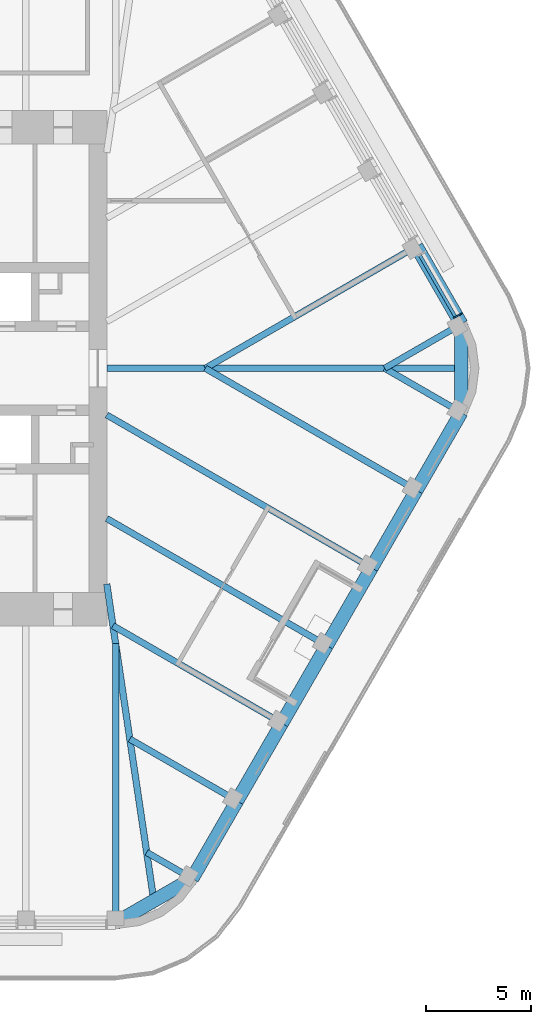
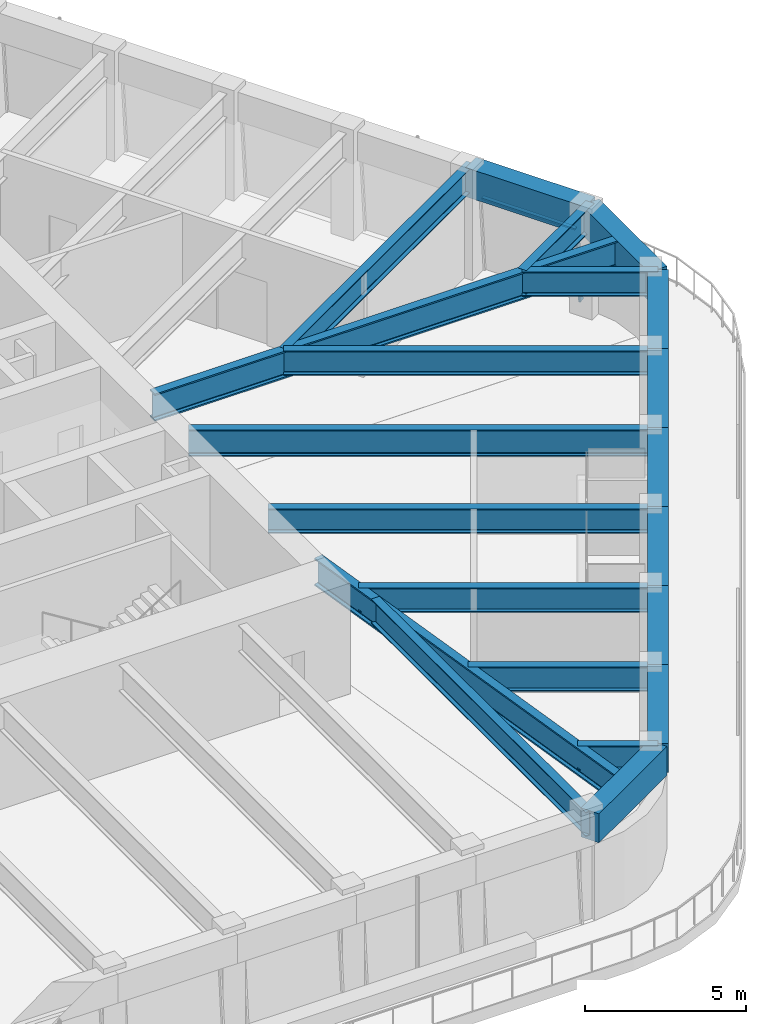
# One storey, part 5 of 19: 21 beams, 2 members, 1 element without a shape of its own.
"""IFC4 building model written with IfcOpenShell, lengths in metres."""

from ifc_helpers import new_model, si_unit, direction, frame, origin, origin_2d, place, context, subcontext, project, spatial, rectangle, i_section, extrude, material, material_profile, profile_set, type_object, element, aggregate, save


model = new_model("IFC4")

# Units and contexts
model_context = context("Model", 3, precision=1e-05, world=origin(), true_north=direction((0.0, 1.0)))
body_context = subcontext(model_context, "Body", "Model", "MODEL_VIEW")
ifc_project = project(units=[si_unit("LENGTHUNIT", "METRE"), si_unit("AREAUNIT", "SQUARE_METRE"), si_unit("VOLUMEUNIT", "CUBIC_METRE"), si_unit("PLANEANGLEUNIT", "RADIAN"), si_unit("MASSUNIT", "GRAM", prefix="KILO")], contexts=[model_context])

# Site, building, storey
site_placement = place(None, origin())
site = spatial("IfcSite", under=ifc_project, at=site_placement, CompositionType="ELEMENT")
building_placement = place(site_placement, origin())
building = spatial("IfcBuilding", under=site, at=building_placement, Name="Tarfa Lantern Tower", CompositionType="ELEMENT")
storey_placement = place(building_placement, frame((0.0, 0.0, 387.10009765625)))
storey = spatial("IfcBuildingStorey", under=building, at=storey_placement, Name="L88", CompositionType="ELEMENT", Elevation=387.10009765625)

# Curtain wall, members
ifc_material_1 = material(Name="Aluminium framed curtain wall", Category="aluminium")
curtain_wall_type = type_object("IfcCurtainWallType", Name="CW4 CANTED GLAZING EXECUTIVE ZONE 2900", PredefinedType="USERDEFINED", material=ifc_material_1)
curtain_wall_placement = place(storey_placement, origin())
curtain_wall = element("IfcCurtainWall", 1, at=curtain_wall_placement, inside=storey, type_object=curtain_wall_type, Name="CW4 NE L88", ObjectType="CURTAIN WALL", PredefinedType="USERDEFINED")
ifc_material_2 = material(Name="Aluminium mullion", Category="aluminium")
ifc_material_profile_1 = material_profile(ifc_material_2, rectangle(XDim=0.06494140625, YDim=0.199951171875, at=origin_2d()), Name="AL MULLION 65x200")
ifc_profile_set_1 = profile_set([ifc_material_profile_1], Name="Aluminium mullion")
member_type_1 = type_object("IfcMemberType", Name="CWM1 MULLION 65x200", PredefinedType="MULLION", material=ifc_profile_set_1)
member_1_placement = place(storey_placement, frame((29.286376953125, 2.574462890625, 0.0), z_axis=(-0.074399820079, -0.042945555672, 0.996303340364), x_axis=(0.499919672301, -0.866071776036, 0.0)))
member_1 = element("IfcMember", 2, at=member_1_placement, type_object=member_type_1, Name="CW4 mullion 1", PredefinedType="MULLION", context=body_context, shape_type="SweptSolid", body=[
    extrude(rectangle(XDim=0.06494140625, YDim=0.199951171875, at=origin_2d()), origin(), (0.0, 0.0, 1.0), 2.91064453125),
])
ifc_material_3 = material(Name="Aluminium transom", Category="aluminium")
ifc_material_profile_2 = material_profile(ifc_material_3, rectangle(XDim=0.14990234375, YDim=0.06494140625, at=origin_2d()), Name="AL TRANSOM 150x65")
ifc_profile_set_2 = profile_set([ifc_material_profile_2], Name="Aluminium transom")
member_type_2 = type_object("IfcMemberType", Name="CWT1 TRANSOM 150x65", PredefinedType="USERDEFINED", material=ifc_profile_set_2)
member_2_placement = place(storey_placement, frame((29.055908203125, 2.47900390625, 2.867431640625), z_axis=(-0.499930512259, 0.866065518833, 0.0), x_axis=(-0.866065518833, -0.499930512259, 0.0)))
member_2 = element("IfcMember", 3, at=member_2_placement, type_object=member_type_2, Name="CW4 transom 1.2", ObjectType="TRANSOM", PredefinedType="USERDEFINED", context=body_context, shape_type="SweptSolid", body=[
    extrude(rectangle(XDim=0.14990234375, YDim=0.06494140625, at=origin_2d()), origin(), (0.0, 0.0, 1.0), 3.35205078125),
])
aggregate(curtain_wall, [member_1, member_2])

# Beams
ifc_material_4 = material(Name="Concrete C80/95", Category="concrete")
ifc_material_profile_3 = material_profile(ifc_material_4, rectangle(XDim=0.64990234375, YDim=1.10009765625, at=origin_2d()), Name="RC 650x1100")
ifc_profile_set_3 = profile_set([ifc_material_profile_3], Name="Concrete C80/95")
beam_type_1 = type_object("IfcBeamType", Name="EB4 RC 650x1100", PredefinedType="SPANDREL", material=ifc_profile_set_3)
beam_1_placement = place(storey_placement, frame((29.3466796875, 2.110107421875, 3.449951171875), z_axis=(-0.499984039138, 0.866034618596, 0.0), x_axis=(-0.866034618596, -0.499984039138, 0.0)))
element("IfcBeam", 4, at=beam_1_placement, inside=storey, type_object=beam_type_1, Name="Edge beam NE0", PredefinedType="SPANDREL", context=body_context, shape_type="SweptSolid", body=[
    extrude(rectangle(XDim=0.64990234375, YDim=1.10009765625, at=origin_2d()), origin(), (0.0, 0.0, 1.0), 4.281982421875),
])
beam_2_placement = place(storey_placement, frame((12.845947265625, -26.469970703125, 3.449951171875), z_axis=(0.866048788483, 0.499959494327, 0.0), x_axis=(-0.499959494327, 0.866048788483, 0.0)))
element("IfcBeam", 5, at=beam_2_placement, inside=storey, type_object=beam_type_1, Name="Edge beam S6", PredefinedType="SPANDREL", context=body_context, shape_type="SweptSolid", body=[
    extrude(rectangle(XDim=0.64990234375, YDim=1.10009765625, at=origin_2d()), origin(), (0.0, 0.0, 1.0), 4.219970703125),
])
for number, where, z_axis, x_axis, name in (
    (6, (16.500732421875, -24.360107421875, 3.449951171875), (0.499959351497, 0.866048870937, 0.0), (-0.866048870937, 0.499959351497, 0.0), "Edge beam SE0"),
    (7, (18.6416015625, -20.651611328125, 3.449951171875), (0.500026801138, 0.866009929587, 0.0), (-0.866009929587, 0.500026801138, 0.0), "Edge beam SE1"),
    (8, (20.78271484375, -16.943359375, 3.449951171875), (0.499984039138, 0.866034618596, 0.0), (-0.866034618596, 0.499984039138, 0.0), "Edge beam SE2"),
):
    element("IfcBeam", number, at=place(storey_placement, frame(where, z_axis=z_axis, x_axis=x_axis)), inside=storey, type_object=beam_type_1, Name=name, PredefinedType="SPANDREL", context=body_context, shape_type="SweptSolid", body=[
        extrude(rectangle(XDim=0.64990234375, YDim=1.10009765625, at=origin_2d()), origin(), (0.0, 0.0, 1.0), 4.281982421875),
    ])
beam_3_placement = place(storey_placement, frame((22.923583984375, -13.235107421875, 3.449951171875), z_axis=(0.500002112793, 0.866024183959, 0.0), x_axis=(-0.866024183959, 0.500002112793, 0.0)))
element("IfcBeam", 9, at=beam_3_placement, inside=storey, type_object=beam_type_1, Name="Edge beam SE3", PredefinedType="SPANDREL", context=body_context, shape_type="SweptSolid", body=[
    extrude(rectangle(XDim=0.64990234375, YDim=1.10009765625, at=origin_2d()), origin(), (0.0, 0.0, 1.0), 4.2822265625),
])
for number, where, z_axis, x_axis, name in (
    (10, (25.064697265625, -9.526611328125, 3.449951171875), (0.500026801138, 0.866009929587, 0.0), (-0.866009929587, 0.500026801138, 0.0), "Edge beam SE4"),
    (11, (27.205810546875, -5.818359375, 3.449951171875), (0.499984039138, 0.866034618596, 0.0), (-0.866034618596, 0.499984039138, 0.0), "Edge beam SE5"),
):
    element("IfcBeam", number, at=place(storey_placement, frame(where, z_axis=z_axis, x_axis=x_axis)), inside=storey, type_object=beam_type_1, Name=name, PredefinedType="SPANDREL", context=body_context, shape_type="SweptSolid", body=[
        extrude(rectangle(XDim=0.64990234375, YDim=1.10009765625, at=origin_2d()), origin(), (0.0, 0.0, 1.0), 4.281982421875),
    ])
beam_4_placement = place(storey_placement, frame((29.3466796875, -2.110107421875, 3.449951171875), z_axis=(0.0, 1.0, 0.0), x_axis=(-1.0, 0.0, 0.0)))
element("IfcBeam", 12, at=beam_4_placement, inside=storey, type_object=beam_type_1, Name="Edge beam SE6", PredefinedType="SPANDREL", context=body_context, shape_type="SweptSolid", body=[
    extrude(rectangle(XDim=0.64990234375, YDim=1.10009765625, at=origin_2d()), origin(), (0.0, 0.0, 1.0), 4.22021484375),
])
ifc_material_5 = material(Name="Steel S460M", Category="steel")
ifc_material_profile_4 = material_profile(ifc_material_5, i_section(OverallWidth=0.302001953125, OverallDepth=1.008056640625, WebThickness=0.02099609375, FlangeThickness=0.0400390625, FilletRadius=0.030029296875, at=origin_2d()), Name="UB1016x305x349")
ifc_profile_set_4 = profile_set([ifc_material_profile_4], Name="Steel S460M")
beam_type_2 = type_object("IfcBeamType", Name="UB1016x305x349", PredefinedType="BEAM", material=ifc_profile_set_4)
beam_5_placement = place(storey_placement, frame((25.064697265625, -9.526611328125, 3.495849609375), z_axis=(-0.866029591389, 0.499992746786, 0.0), x_axis=(-0.499992746786, -0.866029591389, 0.0)))
element("IfcBeam", 13, at=beam_5_placement, inside=storey, type_object=beam_type_2, Name="Floor beam SE4", PredefinedType="BEAM", context=body_context, shape_type="SweptSolid", body=[
    extrude(i_section(OverallWidth=0.302001953125, OverallDepth=1.008056640625, WebThickness=0.02099609375, FlangeThickness=0.0400390625, FilletRadius=0.030029296875, at=origin_2d()), origin(), (0.0, 0.0, 1.0), 14.594970703125),
])
ifc_material_profile_5 = material_profile(ifc_material_5, i_section(OverallWidth=0.30859375, OverallDepth=1.036376953125, WebThickness=0.030029296875, FlangeThickness=0.05419921875, FilletRadius=0.030029296875, at=origin_2d()), Name="UB1016x305x487")
ifc_profile_set_5 = profile_set([ifc_material_profile_5], Name="Steel S460M")
beam_type_3 = type_object("IfcBeamType", Name="UB1016x305x487", PredefinedType="BEAM", material=ifc_profile_set_5)
beam_6_placement = place(storey_placement, frame((12.425048828125, 0.0, 3.481689453125), z_axis=(1.0, 0.0, 0.0), x_axis=(0.0, 1.0, 0.0)))
element("IfcBeam", 14, at=beam_6_placement, inside=storey, type_object=beam_type_3, Name="Hip girder E", PredefinedType="BEAM", context=body_context, shape_type="SweptSolid", body=[
    extrude(i_section(OverallWidth=0.30859375, OverallDepth=1.036376953125, WebThickness=0.030029296875, FlangeThickness=0.05419921875, FilletRadius=0.030029296875, at=origin_2d()), origin(), (0.0, 0.0, 1.0), 16.921630859375),
])
beam_7_placement = place(storey_placement, frame((12.425048828125, -10.300048828125, 3.481689453125), z_axis=(0.147127069073, -0.989117599452, 0.0), x_axis=(0.989117599452, 0.147127069073, 0.0)))
element("IfcBeam", 15, at=beam_7_placement, inside=storey, type_object=beam_type_3, Name="Hip girder SE", PredefinedType="BEAM", context=body_context, shape_type="SweptSolid", body=[
    extrude(i_section(OverallWidth=0.30859375, OverallDepth=1.036376953125, WebThickness=0.030029296875, FlangeThickness=0.05419921875, FilletRadius=0.030029296875, at=origin_2d()), origin(), (0.0, 0.0, 1.0), 15.28125),
])
ifc_material_profile_6 = material_profile(ifc_material_5, i_section(OverallWidth=0.305419921875, OverallDepth=0.91845703125, WebThickness=0.017333984375, FlangeThickness=0.02783203125, FilletRadius=0.01904296875, at=origin_2d()), Name="UB914x305x253")
ifc_profile_set_6 = profile_set([ifc_material_profile_6], Name="Steel S460M")
beam_type_4 = type_object("IfcBeamType", Name="UB914x305x253", PredefinedType="BEAM", material=ifc_profile_set_6)
beam_8_placement = place(storey_placement, frame((29.3466796875, 2.110107421875, 3.540771484375), z_axis=(-0.866009274789, -0.500027935199, 0.0), x_axis=(0.500027935199, -0.866009274789, 0.0)))
element("IfcBeam", 16, at=beam_8_placement, inside=storey, type_object=beam_type_4, Name="Floor beam NE0", PredefinedType="BEAM", context=body_context, shape_type="SweptSolid", body=[
    extrude(i_section(OverallWidth=0.305419921875, OverallDepth=0.91845703125, WebThickness=0.017333984375, FlangeThickness=0.02783203125, FilletRadius=0.01904296875, at=origin_2d()), origin(), (0.0, 0.0, 1.0), 4.219970703125),
])
beam_9_placement = place(storey_placement, frame((27.205810546875, 5.818359375, 3.540771484375), z_axis=(-0.866024171998, -0.500002133511, 0.0), x_axis=(0.500002133511, -0.866024171998, 0.0)))
element("IfcBeam", 17, at=beam_9_placement, inside=storey, type_object=beam_type_4, Name="Floor beam NE1", PredefinedType="BEAM", context=body_context, shape_type="SweptSolid", body=[
    extrude(i_section(OverallWidth=0.305419921875, OverallDepth=0.91845703125, WebThickness=0.017333984375, FlangeThickness=0.02783203125, FilletRadius=0.01904296875, at=origin_2d()), origin(), (0.0, 0.0, 1.0), 11.63671875),
])
beam_10_placement = place(storey_placement, frame((12.845947265625, -26.469970703125, 3.540771484375), z_axis=(0.0, 1.0, 0.0), x_axis=(-1.0, 0.0, 0.0)))
element("IfcBeam", 18, at=beam_10_placement, inside=storey, type_object=beam_type_4, Name="Floor beam S6", PredefinedType="BEAM", context=body_context, shape_type="SweptSolid", body=[
    extrude(i_section(OverallWidth=0.305419921875, OverallDepth=0.91845703125, WebThickness=0.017333984375, FlangeThickness=0.02783203125, FilletRadius=0.01904296875, at=origin_2d()), origin(), (0.0, 0.0, 1.0), 13.33935546875),
])
beam_11_placement = place(storey_placement, frame((16.500732421875, -24.360107421875, 3.540771484375), z_axis=(-0.865992557167, 0.500056887695, 0.0), x_axis=(-0.500056887695, -0.865992557167, 0.0)))
element("IfcBeam", 19, at=beam_11_placement, inside=storey, type_object=beam_type_4, Name="Floor beam SE0", PredefinedType="BEAM", context=body_context, shape_type="SweptSolid", body=[
    extrude(i_section(OverallWidth=0.305419921875, OverallDepth=0.91845703125, WebThickness=0.017333984375, FlangeThickness=0.02783203125, FilletRadius=0.01904296875, at=origin_2d()), origin(), (0.0, 0.0, 1.0), 2.506591796875),
])
beam_12_placement = place(storey_placement, frame((18.6416015625, -20.651611328125, 3.540771484375), z_axis=(-0.866024549157, 0.500001480256, 0.0), x_axis=(-0.500001480256, -0.866024549157, 0.0)))
element("IfcBeam", 20, at=beam_12_placement, inside=storey, type_object=beam_type_4, Name="Floor beam SE1", PredefinedType="BEAM", context=body_context, shape_type="SweptSolid", body=[
    extrude(i_section(OverallWidth=0.305419921875, OverallDepth=0.91845703125, WebThickness=0.017333984375, FlangeThickness=0.02783203125, FilletRadius=0.01904296875, at=origin_2d()), origin(), (0.0, 0.0, 1.0), 5.90771484375),
])
beam_13_placement = place(storey_placement, frame((20.78271484375, -16.943359375, 3.540771484375), z_axis=(-0.866021806508, 0.500006230613, 0.0), x_axis=(-0.500006230613, -0.866021806508, 0.0)))
element("IfcBeam", 21, at=beam_13_placement, inside=storey, type_object=beam_type_4, Name="Floor beam SE2", PredefinedType="BEAM", context=body_context, shape_type="SweptSolid", body=[
    extrude(i_section(OverallWidth=0.305419921875, OverallDepth=0.91845703125, WebThickness=0.017333984375, FlangeThickness=0.02783203125, FilletRadius=0.01904296875, at=origin_2d()), origin(), (0.0, 0.0, 1.0), 9.30908203125),
])
beam_14_placement = place(storey_placement, frame((22.923583984375, -13.235107421875, 3.540771484375), z_axis=(-0.86601856927, 0.500011837539, 0.0), x_axis=(-0.500011837539, -0.86601856927, 0.0)))
element("IfcBeam", 22, at=beam_14_placement, inside=storey, type_object=beam_type_4, Name="Floor beam SE3", PredefinedType="BEAM", context=body_context, shape_type="SweptSolid", body=[
    extrude(i_section(OverallWidth=0.305419921875, OverallDepth=0.91845703125, WebThickness=0.017333984375, FlangeThickness=0.02783203125, FilletRadius=0.01904296875, at=origin_2d()), origin(), (0.0, 0.0, 1.0), 12.122802734375),
])
beam_15_placement = place(storey_placement, frame((27.205810546875, -5.818359375, 3.540771484375), z_axis=(-0.866024171998, 0.500002133511, 0.0), x_axis=(-0.500002133511, -0.866024171998, 0.0)))
element("IfcBeam", 23, at=beam_15_placement, inside=storey, type_object=beam_type_4, Name="Floor beam SE5", PredefinedType="BEAM", context=body_context, shape_type="SweptSolid", body=[
    extrude(i_section(OverallWidth=0.305419921875, OverallDepth=0.91845703125, WebThickness=0.017333984375, FlangeThickness=0.02783203125, FilletRadius=0.01904296875, at=origin_2d()), origin(), (0.0, 0.0, 1.0), 11.63671875),
])
beam_16_placement = place(storey_placement, frame((29.3466796875, -2.110107421875, 3.540771484375), z_axis=(-0.866009274789, 0.500027935199, 0.0), x_axis=(-0.500027935199, -0.866009274789, 0.0)))
element("IfcBeam", 24, at=beam_16_placement, inside=storey, type_object=beam_type_4, Name="Floor beam SE6", PredefinedType="BEAM", context=body_context, shape_type="SweptSolid", body=[
    extrude(i_section(OverallWidth=0.305419921875, OverallDepth=0.91845703125, WebThickness=0.017333984375, FlangeThickness=0.02783203125, FilletRadius=0.01904296875, at=origin_2d()), origin(), (0.0, 0.0, 1.0), 4.219970703125),
])

save(model, "model.ifc")
